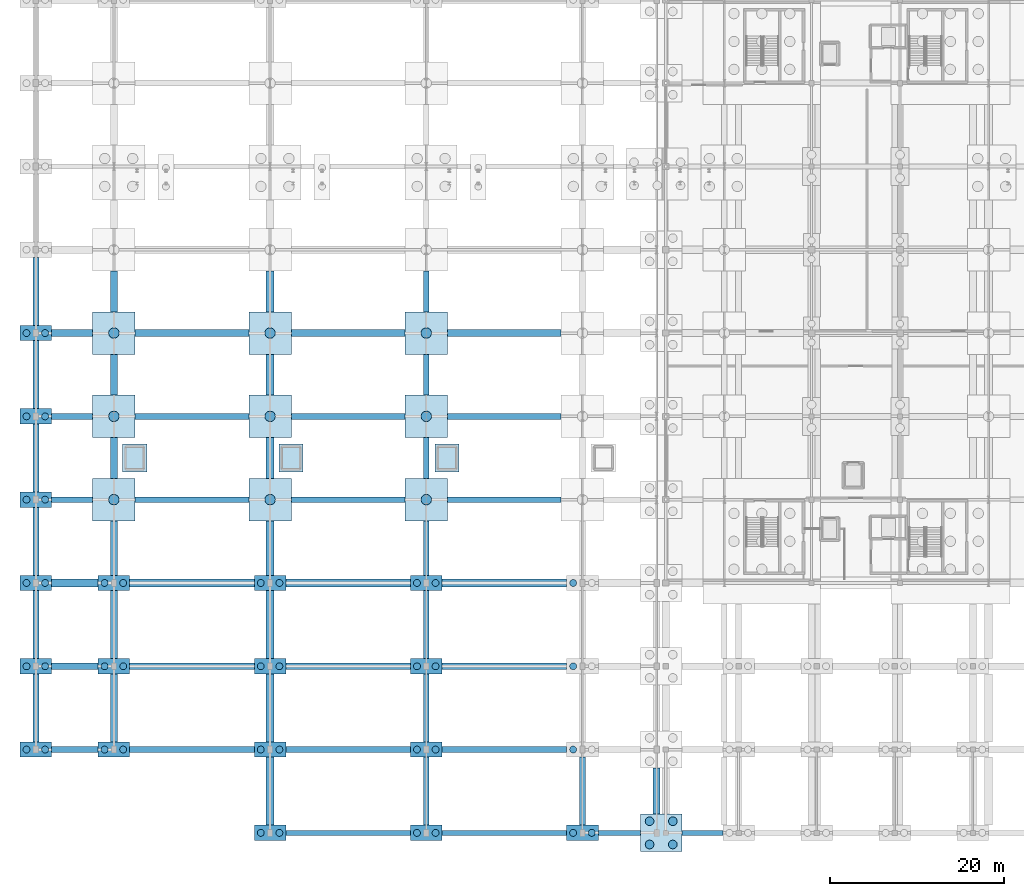
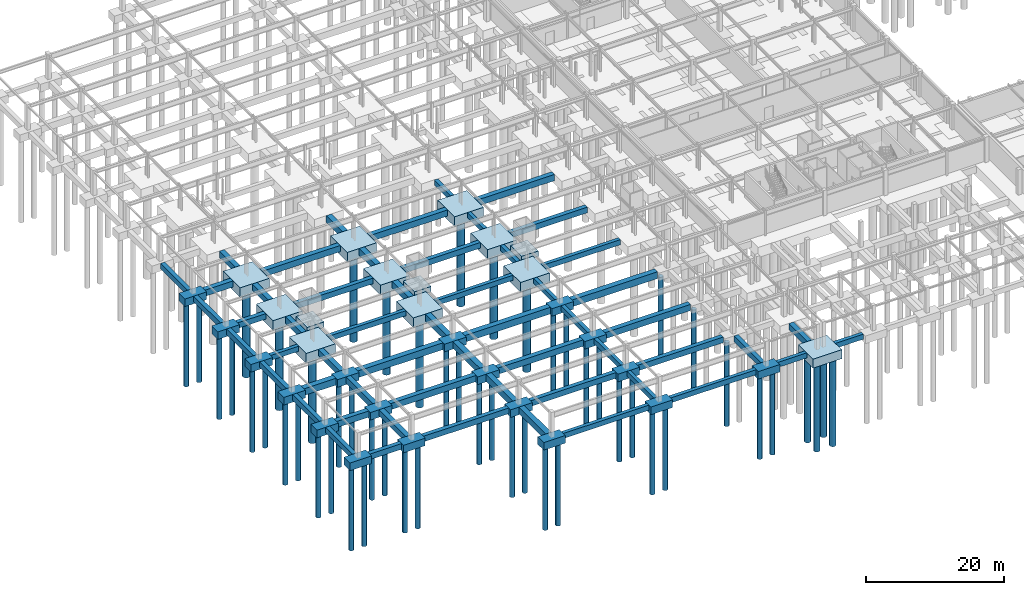
# One storey, part 1 of 59: 87 footings, 52 piles.
"""IFC4 building model written with IfcOpenShell, lengths in metres."""

from ifc_helpers import new_model, si_unit, direction, frame, origin, origin_2d, place, context, subcontext, project, spatial, rectangle, circle, extrude, material, material_profile, profile_set, type_object, element, save


model = new_model("IFC4")

# Units and contexts
model_context = context("Model", 3, precision=1e-05, world=origin(), true_north=direction((0.0, 1.0)))
body_context = subcontext(model_context, "Body", "Model", "MODEL_VIEW")
ifc_project = project(units=[si_unit("LENGTHUNIT", "METRE"), si_unit("AREAUNIT", "SQUARE_METRE"), si_unit("VOLUMEUNIT", "CUBIC_METRE"), si_unit("PLANEANGLEUNIT", "RADIAN"), si_unit("MASSUNIT", "GRAM", prefix="KILO")], contexts=[model_context])

# Site, building, storey
site_placement = place(None, origin())
site = spatial("IfcSite", under=ifc_project, at=site_placement, CompositionType="ELEMENT")
building_placement = place(site_placement, origin())
building = spatial("IfcBuilding", under=site, at=building_placement, Name="Myrtia Square Station", CompositionType="ELEMENT")
storey_placement = place(building_placement, frame((0.0, 0.0, -4.5)))
storey = spatial("IfcBuildingStorey", under=building, at=storey_placement, Name="B01", CompositionType="ELEMENT", Elevation=-4.5)

# Footings
ifc_material = material(Name="Concrete C35/45", Category="concrete")
ifc_material_profile_1 = material_profile(ifc_material, rectangle(XDim=0.60009765625, YDim=0.89990234375, at=origin_2d()), Name="FB 600x900")
ifc_profile_set_1 = profile_set([ifc_material_profile_1], Name="Concrete C35/45")
footing_type_1 = type_object("IfcFootingType", Name="FBM-600x900", PredefinedType="FOOTING_BEAM", material=ifc_profile_set_1)
for number, where, z_axis, x_axis, name in (
    (1, (28.820068359375, 0.0, -0.449951171875), (1.0, 0.0, 0.0), (0.0, 1.0, 0.0), "Seismic foundation tie beam X-0001"),
    (2, (46.820068359375, 0.0, -0.449951171875), (1.0, 0.0, 0.0), (0.0, 1.0, 0.0), "Seismic foundation tie beam X-0002"),
):
    element("IfcFooting", number, at=place(storey_placement, frame(where, z_axis=z_axis, x_axis=x_axis)), inside=storey, type_object=footing_type_1, Name=name, PredefinedType="FOOTING_BEAM", context=body_context, shape_type="SweptSolid", body=[
        extrude(rectangle(XDim=0.60009765625, YDim=0.89990234375, at=origin_2d()), origin(), (0.0, 0.0, 1.0), 14.35986328125),
    ])
footing_1_placement = place(storey_placement, frame((64.820068359375, 0.0, -0.449951171875), z_axis=(1.0, 0.0, 0.0), x_axis=(0.0, 1.0, 0.0)))
element("IfcFooting", 3, at=footing_1_placement, inside=storey, type_object=footing_type_1, Name="Seismic foundation tie beam X-0003", PredefinedType="FOOTING_BEAM", context=body_context, shape_type="SweptSolid", body=[
    extrude(rectangle(XDim=0.60009765625, YDim=0.89990234375, at=origin_2d()), origin(), (0.0, 0.0, 1.0), 4.85498046875),
])
footing_2_placement = place(storey_placement, frame((74.47509765625, 0.0, -0.449951171875), z_axis=(1.0, 0.0, 0.0), x_axis=(0.0, 1.0, 0.0)))
element("IfcFooting", 4, at=footing_2_placement, inside=storey, type_object=footing_type_1, Name="Seismic foundation tie beam X-0004", PredefinedType="FOOTING_BEAM", context=body_context, shape_type="SweptSolid", body=[
    extrude(rectangle(XDim=0.60009765625, YDim=0.89990234375, at=origin_2d()), origin(), (0.0, 0.0, 1.0), 4.704833984375),
])
footing_3_placement = place(storey_placement, frame((1.820068359375, 38.39990234375, -0.449951171875), z_axis=(1.0, 0.0, 0.0), x_axis=(0.0, 1.0, 0.0)))
element("IfcFooting", 5, at=footing_3_placement, inside=storey, type_object=footing_type_1, Name="Seismic foundation tie beam X-0043", PredefinedType="FOOTING_BEAM", context=body_context, shape_type="SweptSolid", body=[
    extrude(rectangle(XDim=0.60009765625, YDim=0.89990234375, at=origin_2d()), origin(), (0.0, 0.0, 1.0), 4.72998046875),
])
for number, where, z_axis, x_axis, name in (
    (6, (11.449951171875, 38.39990234375, -0.449951171875), (1.0, 0.0, 0.0), (0.0, 1.0, 0.0), "Seismic foundation tie beam X-0044"),
    (7, (29.449951171875, 38.39990234375, -0.449951171875), (1.0, 0.0, 0.0), (0.0, 1.0, 0.0), "Seismic foundation tie beam X-0045"),
    (8, (47.449951171875, 38.39990234375, -0.449951171875), (1.0, 0.0, 0.0), (0.0, 1.0, 0.0), "Seismic foundation tie beam X-0046"),
):
    element("IfcFooting", number, at=place(storey_placement, frame(where, z_axis=z_axis, x_axis=x_axis)), inside=storey, type_object=footing_type_1, Name=name, PredefinedType="FOOTING_BEAM", context=body_context, shape_type="SweptSolid", body=[
        extrude(rectangle(XDim=0.60009765625, YDim=0.89990234375, at=origin_2d()), origin(), (0.0, 0.0, 1.0), 13.10009765625),
    ])
for number, where, z_axis, x_axis, name in (
    (9, (45.0, 0.8798828125, -0.449951171875), (0.0, 1.0, 0.0), (-1.0, 0.0, 0.0), "Seismic foundation tie beam Y-0189"),
    (10, (45.0, 10.47998046875, -0.449951171875), (0.0, 1.0, 0.0), (-1.0, 0.0, 0.0), "Seismic foundation tie beam Y-0190"),
):
    element("IfcFooting", number, at=place(storey_placement, frame(where, z_axis=z_axis, x_axis=x_axis)), inside=storey, type_object=footing_type_1, Name=name, PredefinedType="FOOTING_BEAM", context=body_context, shape_type="SweptSolid", body=[
        extrude(rectangle(XDim=0.60009765625, YDim=0.89990234375, at=origin_2d()), origin(), (0.0, 0.0, 1.0), 7.840087890625),
    ])
footing_4_placement = place(storey_placement, frame((45.0, 20.080078125, -0.449951171875), z_axis=(0.0, 1.0, 0.0), x_axis=(-1.0, 0.0, 0.0)))
element("IfcFooting", 11, at=footing_4_placement, inside=storey, type_object=footing_type_1, Name="Seismic foundation tie beam Y-0191", PredefinedType="FOOTING_BEAM", context=body_context, shape_type="SweptSolid", body=[
    extrude(rectangle(XDim=0.60009765625, YDim=0.89990234375, at=origin_2d()), origin(), (0.0, 0.0, 1.0), 7.83984375),
])
footing_5_placement = place(storey_placement, frame((45.0, 29.679931640625, -0.449951171875), z_axis=(0.0, 1.0, 0.0), x_axis=(-1.0, 0.0, 0.0)))
element("IfcFooting", 12, at=footing_5_placement, inside=storey, type_object=footing_type_1, Name="Seismic foundation tie beam Y-0192", PredefinedType="FOOTING_BEAM", context=body_context, shape_type="SweptSolid", body=[
    extrude(rectangle(XDim=0.60009765625, YDim=0.89990234375, at=origin_2d()), origin(), (0.0, 0.0, 1.0), 6.27001953125),
])
for number, where, z_axis, x_axis, name in (
    (13, (45.0, 40.85009765625, -0.449951171875), (0.0, 1.0, 0.0), (-1.0, 0.0, 0.0), "Seismic foundation tie beam Y-0193"),
    (14, (45.0, 50.449951171875, -0.449951171875), (0.0, 1.0, 0.0), (-1.0, 0.0, 0.0), "Seismic foundation tie beam Y-0194"),
    (15, (45.0, 60.050048828125, -0.449951171875), (0.0, 1.0, 0.0), (-1.0, 0.0, 0.0), "Seismic foundation tie beam Y-0195"),
):
    element("IfcFooting", number, at=place(storey_placement, frame(where, z_axis=z_axis, x_axis=x_axis)), inside=storey, type_object=footing_type_1, Name=name, PredefinedType="FOOTING_BEAM", context=body_context, shape_type="SweptSolid", body=[
        extrude(rectangle(XDim=0.60009765625, YDim=0.89990234375, at=origin_2d()), origin(), (0.0, 0.0, 1.0), 4.699951171875),
    ])
ifc_material_profile_2 = material_profile(ifc_material, rectangle(XDim=0.699951171875, YDim=1.0, at=origin_2d()), Name="FB 700x1000")
ifc_profile_set_2 = profile_set([ifc_material_profile_2], Name="Concrete C35/45")
footing_type_2 = type_object("IfcFootingType", Name="FBM-700x1000", PredefinedType="FOOTING_BEAM", material=ifc_profile_set_2)
footing_6_placement = place(storey_placement, frame((1.820068359375, 9.60009765625, -0.5), z_axis=(1.0, 0.0, 0.0), x_axis=(0.0, 1.0, 0.0)))
element("IfcFooting", 16, at=footing_6_placement, inside=storey, type_object=footing_type_2, Name="Seismic foundation tie beam X-0009", PredefinedType="FOOTING_BEAM", context=body_context, shape_type="SweptSolid", body=[
    extrude(rectangle(XDim=0.699951171875, YDim=1.0, at=origin_2d()), origin(), (0.0, 0.0, 1.0), 5.35986328125),
])
for number, where, z_axis, x_axis, name in (
    (17, (10.820068359375, 9.60009765625, -0.5), (1.0, 0.0, 0.0), (0.0, 1.0, 0.0), "Seismic foundation tie beam X-0010"),
    (18, (28.820068359375, 9.60009765625, -0.5), (1.0, 0.0, 0.0), (0.0, 1.0, 0.0), "Seismic foundation tie beam X-0011"),
    (19, (46.820068359375, 9.60009765625, -0.5), (1.0, 0.0, 0.0), (0.0, 1.0, 0.0), "Seismic foundation tie beam X-0012"),
):
    element("IfcFooting", number, at=place(storey_placement, frame(where, z_axis=z_axis, x_axis=x_axis)), inside=storey, type_object=footing_type_2, Name=name, PredefinedType="FOOTING_BEAM", context=body_context, shape_type="SweptSolid", body=[
        extrude(rectangle(XDim=0.699951171875, YDim=1.0, at=origin_2d()), origin(), (0.0, 0.0, 1.0), 14.35986328125),
    ])
footing_7_placement = place(storey_placement, frame((1.820068359375, 48.0, -0.5), z_axis=(1.0, 0.0, 0.0), x_axis=(0.0, 1.0, 0.0)))
element("IfcFooting", 20, at=footing_7_placement, inside=storey, type_object=footing_type_2, Name="Seismic foundation tie beam X-0052", PredefinedType="FOOTING_BEAM", context=body_context, shape_type="SweptSolid", body=[
    extrude(rectangle(XDim=0.699951171875, YDim=1.0, at=origin_2d()), origin(), (0.0, 0.0, 1.0), 4.72998046875),
])
for number, where, z_axis, x_axis, name in (
    (21, (11.449951171875, 48.0, -0.5), (1.0, 0.0, 0.0), (0.0, 1.0, 0.0), "Seismic foundation tie beam X-0053"),
    (22, (29.449951171875, 48.0, -0.5), (1.0, 0.0, 0.0), (0.0, 1.0, 0.0), "Seismic foundation tie beam X-0054"),
    (23, (47.449951171875, 48.0, -0.5), (1.0, 0.0, 0.0), (0.0, 1.0, 0.0), "Seismic foundation tie beam X-0055"),
):
    element("IfcFooting", number, at=place(storey_placement, frame(where, z_axis=z_axis, x_axis=x_axis)), inside=storey, type_object=footing_type_2, Name=name, PredefinedType="FOOTING_BEAM", context=body_context, shape_type="SweptSolid", body=[
        extrude(rectangle(XDim=0.699951171875, YDim=1.0, at=origin_2d()), origin(), (0.0, 0.0, 1.0), 13.10009765625),
    ])
footing_8_placement = place(storey_placement, frame((0.0, 10.47998046875, -0.5), z_axis=(0.0, 1.0, 0.0), x_axis=(-1.0, 0.0, 0.0)))
element("IfcFooting", 24, at=footing_8_placement, inside=storey, type_object=footing_type_2, Name="Seismic foundation tie beam Y-0154", PredefinedType="FOOTING_BEAM", context=body_context, shape_type="SweptSolid", body=[
    extrude(rectangle(XDim=0.699951171875, YDim=1.0, at=origin_2d()), origin(), (0.0, 0.0, 1.0), 7.840087890625),
])
footing_9_placement = place(storey_placement, frame((0.0, 20.080078125, -0.5), z_axis=(0.0, 1.0, 0.0), x_axis=(-1.0, 0.0, 0.0)))
element("IfcFooting", 25, at=footing_9_placement, inside=storey, type_object=footing_type_2, Name="Seismic foundation tie beam Y-0155", PredefinedType="FOOTING_BEAM", context=body_context, shape_type="SweptSolid", body=[
    extrude(rectangle(XDim=0.699951171875, YDim=1.0, at=origin_2d()), origin(), (0.0, 0.0, 1.0), 7.83984375),
])
for number, where, z_axis, x_axis, name in (
    (26, (0.0, 29.679931640625, -0.5), (0.0, 1.0, 0.0), (-1.0, 0.0, 0.0), "Seismic foundation tie beam Y-0156"),
    (27, (0.0, 39.280029296875, -0.5), (0.0, 1.0, 0.0), (-1.0, 0.0, 0.0), "Seismic foundation tie beam Y-0157"),
    (28, (0.0, 48.8798828125, -0.5), (0.0, 1.0, 0.0), (-1.0, 0.0, 0.0), "Seismic foundation tie beam Y-0158"),
    (29, (0.0, 58.47998046875, -0.5), (0.0, 1.0, 0.0), (-1.0, 0.0, 0.0), "Seismic foundation tie beam Y-0159"),
    (30, (63.0, 0.8798828125, -0.5), (0.0, 1.0, 0.0), (-1.0, 0.0, 0.0), "Seismic foundation tie beam Y-0202"),
):
    element("IfcFooting", number, at=place(storey_placement, frame(where, z_axis=z_axis, x_axis=x_axis)), inside=storey, type_object=footing_type_2, Name=name, PredefinedType="FOOTING_BEAM", context=body_context, shape_type="SweptSolid", body=[
        extrude(rectangle(XDim=0.699951171875, YDim=1.0, at=origin_2d()), origin(), (0.0, 0.0, 1.0), 7.840087890625),
    ])
ifc_material_profile_3 = material_profile(ifc_material, rectangle(XDim=0.800048828125, YDim=1.10009765625, at=origin_2d()), Name="FB 800x1100")
ifc_profile_set_3 = profile_set([ifc_material_profile_3], Name="Concrete C35/45")
footing_type_3 = type_object("IfcFootingType", Name="FBM-800x1100", PredefinedType="FOOTING_BEAM", material=ifc_profile_set_3)
footing_10_placement = place(storey_placement, frame((1.820068359375, 19.199951171875, -0.550048828125), z_axis=(1.0, 0.0, 0.0), x_axis=(0.0, 1.0, 0.0)))
element("IfcFooting", 31, at=footing_10_placement, inside=storey, type_object=footing_type_3, Name="Seismic foundation tie beam X-0021", PredefinedType="FOOTING_BEAM", context=body_context, shape_type="SweptSolid", body=[
    extrude(rectangle(XDim=0.800048828125, YDim=1.10009765625, at=origin_2d()), origin(), (0.0, 0.0, 1.0), 5.35986328125),
])
for number, where, z_axis, x_axis, name in (
    (32, (10.820068359375, 19.199951171875, -0.550048828125), (1.0, 0.0, 0.0), (0.0, 1.0, 0.0), "Seismic foundation tie beam X-0022"),
    (33, (28.820068359375, 19.199951171875, -0.550048828125), (1.0, 0.0, 0.0), (0.0, 1.0, 0.0), "Seismic foundation tie beam X-0023"),
    (34, (46.820068359375, 19.199951171875, -0.550048828125), (1.0, 0.0, 0.0), (0.0, 1.0, 0.0), "Seismic foundation tie beam X-0024"),
):
    element("IfcFooting", number, at=place(storey_placement, frame(where, z_axis=z_axis, x_axis=x_axis)), inside=storey, type_object=footing_type_3, Name=name, PredefinedType="FOOTING_BEAM", context=body_context, shape_type="SweptSolid", body=[
        extrude(rectangle(XDim=0.800048828125, YDim=1.10009765625, at=origin_2d()), origin(), (0.0, 0.0, 1.0), 14.35986328125),
    ])
footing_11_placement = place(storey_placement, frame((1.820068359375, 57.60009765625, -0.550048828125), z_axis=(1.0, 0.0, 0.0), x_axis=(0.0, 1.0, 0.0)))
element("IfcFooting", 35, at=footing_11_placement, inside=storey, type_object=footing_type_3, Name="Seismic foundation tie beam X-0063", PredefinedType="FOOTING_BEAM", context=body_context, shape_type="SweptSolid", body=[
    extrude(rectangle(XDim=0.800048828125, YDim=1.10009765625, at=origin_2d()), origin(), (0.0, 0.0, 1.0), 4.72998046875),
])
for number, where, z_axis, x_axis, name in (
    (36, (11.449951171875, 57.60009765625, -0.550048828125), (1.0, 0.0, 0.0), (0.0, 1.0, 0.0), "Seismic foundation tie beam X-0064"),
    (37, (29.449951171875, 57.60009765625, -0.550048828125), (1.0, 0.0, 0.0), (0.0, 1.0, 0.0), "Seismic foundation tie beam X-0065"),
    (38, (47.449951171875, 57.60009765625, -0.550048828125), (1.0, 0.0, 0.0), (0.0, 1.0, 0.0), "Seismic foundation tie beam X-0066"),
):
    element("IfcFooting", number, at=place(storey_placement, frame(where, z_axis=z_axis, x_axis=x_axis)), inside=storey, type_object=footing_type_3, Name=name, PredefinedType="FOOTING_BEAM", context=body_context, shape_type="SweptSolid", body=[
        extrude(rectangle(XDim=0.800048828125, YDim=1.10009765625, at=origin_2d()), origin(), (0.0, 0.0, 1.0), 13.10009765625),
    ])
footing_12_placement = place(storey_placement, frame((9.0, 10.47998046875, -0.550048828125), z_axis=(0.0, 1.0, 0.0), x_axis=(-1.0, 0.0, 0.0)))
element("IfcFooting", 39, at=footing_12_placement, inside=storey, type_object=footing_type_3, Name="Seismic foundation tie beam Y-0165", PredefinedType="FOOTING_BEAM", context=body_context, shape_type="SweptSolid", body=[
    extrude(rectangle(XDim=0.800048828125, YDim=1.10009765625, at=origin_2d()), origin(), (0.0, 0.0, 1.0), 7.840087890625),
])
footing_13_placement = place(storey_placement, frame((9.0, 20.080078125, -0.550048828125), z_axis=(0.0, 1.0, 0.0), x_axis=(-1.0, 0.0, 0.0)))
element("IfcFooting", 40, at=footing_13_placement, inside=storey, type_object=footing_type_3, Name="Seismic foundation tie beam Y-0166", PredefinedType="FOOTING_BEAM", context=body_context, shape_type="SweptSolid", body=[
    extrude(rectangle(XDim=0.800048828125, YDim=1.10009765625, at=origin_2d()), origin(), (0.0, 0.0, 1.0), 7.83984375),
])
footing_14_placement = place(storey_placement, frame((9.0, 29.679931640625, -0.550048828125), z_axis=(0.0, 1.0, 0.0), x_axis=(-1.0, 0.0, 0.0)))
element("IfcFooting", 41, at=footing_14_placement, inside=storey, type_object=footing_type_3, Name="Seismic foundation tie beam Y-0167", PredefinedType="FOOTING_BEAM", context=body_context, shape_type="SweptSolid", body=[
    extrude(rectangle(XDim=0.800048828125, YDim=1.10009765625, at=origin_2d()), origin(), (0.0, 0.0, 1.0), 6.27001953125),
])
for number, where, z_axis, x_axis, name in (
    (42, (9.0, 40.85009765625, -0.550048828125), (0.0, 1.0, 0.0), (-1.0, 0.0, 0.0), "Seismic foundation tie beam Y-0168"),
    (43, (9.0, 50.449951171875, -0.550048828125), (0.0, 1.0, 0.0), (-1.0, 0.0, 0.0), "Seismic foundation tie beam Y-0169"),
    (44, (9.0, 60.050048828125, -0.550048828125), (0.0, 1.0, 0.0), (-1.0, 0.0, 0.0), "Seismic foundation tie beam Y-0170"),
):
    element("IfcFooting", number, at=place(storey_placement, frame(where, z_axis=z_axis, x_axis=x_axis)), inside=storey, type_object=footing_type_3, Name=name, PredefinedType="FOOTING_BEAM", context=body_context, shape_type="SweptSolid", body=[
        extrude(rectangle(XDim=0.800048828125, YDim=1.10009765625, at=origin_2d()), origin(), (0.0, 0.0, 1.0), 4.699951171875),
    ])
footing_15_placement = place(storey_placement, frame((71.550048828125, 2.14990234375, -0.550048828125), z_axis=(0.0, 1.0, 0.0), x_axis=(-1.0, 0.0, 0.0)))
element("IfcFooting", 45, at=footing_15_placement, inside=storey, type_object=footing_type_3, Name="Seismic foundation tie beam Y-0215", PredefinedType="FOOTING_BEAM", context=body_context, shape_type="SweptSolid", body=[
    extrude(rectangle(XDim=0.800048828125, YDim=1.10009765625, at=origin_2d()), origin(), (0.0, 0.0, 1.0), 5.300048828125),
])
ifc_material_profile_4 = material_profile(ifc_material, rectangle(XDim=0.89990234375, YDim=1.199951171875, at=origin_2d()), Name="FB 900x1200")
ifc_profile_set_4 = profile_set([ifc_material_profile_4], Name="Concrete C35/45")
footing_type_4 = type_object("IfcFootingType", Name="FBM-900x1200", PredefinedType="FOOTING_BEAM", material=ifc_profile_set_4)
footing_16_placement = place(storey_placement, frame((1.820068359375, 28.800048828125, -0.60009765625), z_axis=(1.0, 0.0, 0.0), x_axis=(0.0, 1.0, 0.0)))
element("IfcFooting", 46, at=footing_16_placement, inside=storey, type_object=footing_type_4, Name="Seismic foundation tie beam X-0033", PredefinedType="FOOTING_BEAM", context=body_context, shape_type="SweptSolid", body=[
    extrude(rectangle(XDim=0.89990234375, YDim=1.199951171875, at=origin_2d()), origin(), (0.0, 0.0, 1.0), 5.35986328125),
])
for number, where, z_axis, x_axis, name in (
    (47, (10.820068359375, 28.800048828125, -0.60009765625), (1.0, 0.0, 0.0), (0.0, 1.0, 0.0), "Seismic foundation tie beam X-0034"),
    (48, (28.820068359375, 28.800048828125, -0.60009765625), (1.0, 0.0, 0.0), (0.0, 1.0, 0.0), "Seismic foundation tie beam X-0035"),
    (49, (46.820068359375, 28.800048828125, -0.60009765625), (1.0, 0.0, 0.0), (0.0, 1.0, 0.0), "Seismic foundation tie beam X-0036"),
):
    element("IfcFooting", number, at=place(storey_placement, frame(where, z_axis=z_axis, x_axis=x_axis)), inside=storey, type_object=footing_type_4, Name=name, PredefinedType="FOOTING_BEAM", context=body_context, shape_type="SweptSolid", body=[
        extrude(rectangle(XDim=0.89990234375, YDim=1.199951171875, at=origin_2d()), origin(), (0.0, 0.0, 1.0), 14.35986328125),
    ])
for number, where, z_axis, x_axis, name in (
    (50, (27.0, 0.8798828125, -0.60009765625), (0.0, 1.0, 0.0), (-1.0, 0.0, 0.0), "Seismic foundation tie beam Y-0176"),
    (51, (27.0, 10.47998046875, -0.60009765625), (0.0, 1.0, 0.0), (-1.0, 0.0, 0.0), "Seismic foundation tie beam Y-0177"),
):
    element("IfcFooting", number, at=place(storey_placement, frame(where, z_axis=z_axis, x_axis=x_axis)), inside=storey, type_object=footing_type_4, Name=name, PredefinedType="FOOTING_BEAM", context=body_context, shape_type="SweptSolid", body=[
        extrude(rectangle(XDim=0.89990234375, YDim=1.199951171875, at=origin_2d()), origin(), (0.0, 0.0, 1.0), 7.840087890625),
    ])
footing_17_placement = place(storey_placement, frame((27.0, 20.080078125, -0.60009765625), z_axis=(0.0, 1.0, 0.0), x_axis=(-1.0, 0.0, 0.0)))
element("IfcFooting", 52, at=footing_17_placement, inside=storey, type_object=footing_type_4, Name="Seismic foundation tie beam Y-0178", PredefinedType="FOOTING_BEAM", context=body_context, shape_type="SweptSolid", body=[
    extrude(rectangle(XDim=0.89990234375, YDim=1.199951171875, at=origin_2d()), origin(), (0.0, 0.0, 1.0), 7.83984375),
])
footing_18_placement = place(storey_placement, frame((27.0, 29.679931640625, -0.60009765625), z_axis=(0.0, 1.0, 0.0), x_axis=(-1.0, 0.0, 0.0)))
element("IfcFooting", 53, at=footing_18_placement, inside=storey, type_object=footing_type_4, Name="Seismic foundation tie beam Y-0179", PredefinedType="FOOTING_BEAM", context=body_context, shape_type="SweptSolid", body=[
    extrude(rectangle(XDim=0.89990234375, YDim=1.199951171875, at=origin_2d()), origin(), (0.0, 0.0, 1.0), 6.27001953125),
])
for number, where, z_axis, x_axis, name in (
    (54, (27.0, 40.85009765625, -0.60009765625), (0.0, 1.0, 0.0), (-1.0, 0.0, 0.0), "Seismic foundation tie beam Y-0180"),
    (55, (27.0, 50.449951171875, -0.60009765625), (0.0, 1.0, 0.0), (-1.0, 0.0, 0.0), "Seismic foundation tie beam Y-0181"),
    (56, (27.0, 60.050048828125, -0.60009765625), (0.0, 1.0, 0.0), (-1.0, 0.0, 0.0), "Seismic foundation tie beam Y-0182"),
):
    element("IfcFooting", number, at=place(storey_placement, frame(where, z_axis=z_axis, x_axis=x_axis)), inside=storey, type_object=footing_type_4, Name=name, PredefinedType="FOOTING_BEAM", context=body_context, shape_type="SweptSolid", body=[
        extrude(rectangle(XDim=0.89990234375, YDim=1.199951171875, at=origin_2d()), origin(), (0.0, 0.0, 1.0), 4.699951171875),
    ])
footing_type_5 = type_object("IfcFootingType", Name="FCAP-364x176x135", PredefinedType="PILE_CAP", material=ifc_material)
for number, where, z_axis, x_axis, name in (
    (57, (0.0, 9.60009765625, -1.35009765625), (0.0, 0.0, 1.0), (1.0, 0.0, 0.0), "Reinforced concrete pile cap CAP-L2X-000"),
    (58, (0.0, 19.199951171875, -1.35009765625), (0.0, 0.0, 1.0), (1.0, 0.0, 0.0), "Reinforced concrete pile cap CAP-L2X-001"),
    (59, (0.0, 28.800048828125, -1.35009765625), (0.0, 0.0, 1.0), (1.0, 0.0, 0.0), "Reinforced concrete pile cap CAP-L2X-002"),
    (60, (0.0, 38.39990234375, -1.35009765625), (0.0, 0.0, 1.0), (1.0, 0.0, 0.0), "Reinforced concrete pile cap CAP-L2X-003"),
    (61, (0.0, 48.0, -1.35009765625), (0.0, 0.0, 1.0), (1.0, 0.0, 0.0), "Reinforced concrete pile cap CAP-L2X-004"),
    (62, (0.0, 57.60009765625, -1.35009765625), (0.0, 0.0, 1.0), (1.0, 0.0, 0.0), "Reinforced concrete pile cap CAP-L2X-005"),
    (63, (9.0, 9.60009765625, -1.35009765625), (0.0, 0.0, 1.0), (1.0, 0.0, 0.0), "Reinforced concrete pile cap CAP-L2X-012"),
    (64, (9.0, 19.199951171875, -1.35009765625), (0.0, 0.0, 1.0), (1.0, 0.0, 0.0), "Reinforced concrete pile cap CAP-L2X-013"),
    (65, (9.0, 28.800048828125, -1.35009765625), (0.0, 0.0, 1.0), (1.0, 0.0, 0.0), "Reinforced concrete pile cap CAP-L2X-014"),
    (66, (27.0, 0.0, -1.35009765625), (0.0, 0.0, 1.0), (1.0, 0.0, 0.0), "Reinforced concrete pile cap CAP-L2X-024"),
    (67, (27.0, 9.60009765625, -1.35009765625), (0.0, 0.0, 1.0), (1.0, 0.0, 0.0), "Reinforced concrete pile cap CAP-L2X-025"),
    (68, (27.0, 19.199951171875, -1.35009765625), (0.0, 0.0, 1.0), (1.0, 0.0, 0.0), "Reinforced concrete pile cap CAP-L2X-026"),
    (69, (27.0, 28.800048828125, -1.35009765625), (0.0, 0.0, 1.0), (1.0, 0.0, 0.0), "Reinforced concrete pile cap CAP-L2X-027"),
    (70, (45.0, 0.0, -1.35009765625), (0.0, 0.0, 1.0), (1.0, 0.0, 0.0), "Reinforced concrete pile cap CAP-L2X-038"),
    (71, (45.0, 9.60009765625, -1.35009765625), (0.0, 0.0, 1.0), (1.0, 0.0, 0.0), "Reinforced concrete pile cap CAP-L2X-039"),
    (72, (45.0, 19.199951171875, -1.35009765625), (0.0, 0.0, 1.0), (1.0, 0.0, 0.0), "Reinforced concrete pile cap CAP-L2X-040"),
    (73, (45.0, 28.800048828125, -1.35009765625), (0.0, 0.0, 1.0), (1.0, 0.0, 0.0), "Reinforced concrete pile cap CAP-L2X-041"),
    (74, (63.0, 0.0, -1.35009765625), (0.0, 0.0, 1.0), (1.0, 0.0, 0.0), "Reinforced concrete pile cap CAP-L2X-052"),
):
    element("IfcFooting", number, at=place(storey_placement, frame(where, z_axis=z_axis, x_axis=x_axis)), inside=storey, type_object=footing_type_5, Name=name, PredefinedType="PILE_CAP", context=body_context, shape_type="SweptSolid", body=[
        extrude(rectangle(XDim=3.639892578125, YDim=1.760009765625, at=origin_2d()), origin(), (0.0, 0.0, 1.0), 1.35009765625),
    ])
footing_type_6 = type_object("IfcFootingType", Name="FCAP-480x430x160", PredefinedType="PILE_CAP", material=ifc_material)
footing_19_placement = place(storey_placement, frame((72.074951171875, 0.0, -1.60009765625), z_axis=(0.0, 0.0, 1.0), x_axis=(1.0, 0.0, 0.0)))
element("IfcFooting", 75, at=footing_19_placement, inside=storey, type_object=footing_type_6, Name="Reinforced concrete pile cap CAP-JT-066", PredefinedType="PILE_CAP", context=body_context, shape_type="SweptSolid", body=[
    extrude(rectangle(XDim=4.800048828125, YDim=4.300048828125, at=origin_2d()), origin(), (0.0, 0.0, 1.0), 1.60009765625),
])
footing_type_7 = type_object("IfcFootingType", Name="FCAP-490x490x170", PredefinedType="PILE_CAP", material=ifc_material)
for number, where, z_axis, x_axis, name in (
    (76, (9.0, 38.39990234375, -1.7001953125), (0.0, 0.0, 1.0), (1.0, 0.0, 0.0), "Reinforced concrete pile cap CAP-H4-015"),
    (77, (9.0, 48.0, -1.7001953125), (0.0, 0.0, 1.0), (1.0, 0.0, 0.0), "Reinforced concrete pile cap CAP-H4-016"),
    (78, (9.0, 57.60009765625, -1.7001953125), (0.0, 0.0, 1.0), (1.0, 0.0, 0.0), "Reinforced concrete pile cap CAP-H4-017"),
    (79, (27.0, 38.39990234375, -1.7001953125), (0.0, 0.0, 1.0), (1.0, 0.0, 0.0), "Reinforced concrete pile cap CAP-H4-028"),
    (80, (27.0, 48.0, -1.7001953125), (0.0, 0.0, 1.0), (1.0, 0.0, 0.0), "Reinforced concrete pile cap CAP-H4-029"),
    (81, (27.0, 57.60009765625, -1.7001953125), (0.0, 0.0, 1.0), (1.0, 0.0, 0.0), "Reinforced concrete pile cap CAP-H4-030"),
    (82, (45.0, 38.39990234375, -1.7001953125), (0.0, 0.0, 1.0), (1.0, 0.0, 0.0), "Reinforced concrete pile cap CAP-H4-042"),
    (83, (45.0, 48.0, -1.7001953125), (0.0, 0.0, 1.0), (1.0, 0.0, 0.0), "Reinforced concrete pile cap CAP-H4-043"),
    (84, (45.0, 57.60009765625, -1.7001953125), (0.0, 0.0, 1.0), (1.0, 0.0, 0.0), "Reinforced concrete pile cap CAP-H4-044"),
):
    element("IfcFooting", number, at=place(storey_placement, frame(where, z_axis=z_axis, x_axis=x_axis)), inside=storey, type_object=footing_type_7, Name=name, PredefinedType="PILE_CAP", context=body_context, shape_type="SweptSolid", body=[
        extrude(rectangle(XDim=4.89990234375, YDim=4.89990234375, at=origin_2d()), origin(), (0.0, 0.0, 1.0), 1.699951171875),
    ])
footing_type_8 = type_object("IfcFootingType", Name="PAD-1600x900", PredefinedType="PAD_FOOTING", material=ifc_material)
for number, where, z_axis, x_axis, name in (
    (85, (11.39990234375, 43.199951171875, -1.0), (0.0, 0.0, 1.0), (1.0, 0.0, 0.0), "Lift shaft pit foundation PL-01"),
    (86, (29.39990234375, 43.199951171875, -1.0), (0.0, 0.0, 1.0), (1.0, 0.0, 0.0), "Lift shaft pit foundation PL-02"),
    (87, (47.39990234375, 43.199951171875, -1.0), (0.0, 0.0, 1.0), (1.0, 0.0, 0.0), "Lift shaft pit foundation PL-03"),
):
    element("IfcFooting", number, at=place(storey_placement, frame(where, z_axis=z_axis, x_axis=x_axis)), inside=storey, type_object=footing_type_8, Name=name, PredefinedType="PAD_FOOTING", context=body_context, shape_type="SweptSolid", body=[
        extrude(rectangle(XDim=2.800048828125, YDim=3.199951171875, at=origin_2d()), origin(), (0.0, 0.0, 1.0), 1.0),
    ])

# Piles
ifc_material_profile_5 = material_profile(ifc_material, circle(Radius=0.5, at=origin_2d()), Name="BP D1000")
ifc_profile_set_5 = profile_set([ifc_material_profile_5], Name="Concrete C35/45")
pile_type_1 = type_object("IfcPileType", Name="PIL-BP1000", PredefinedType="BORED", material=ifc_profile_set_5)
for number, where, z_axis, x_axis, name in (
    (88, (70.735107421875, -1.340087890625, -1.5), (0.0, 0.0, -1.0), (1.0, 0.0, 0.0), "Bored pile 0211"),
    (89, (70.735107421875, 1.340087890625, -1.5), (0.0, 0.0, -1.0), (1.0, 0.0, 0.0), "Bored pile 0212"),
    (90, (73.4150390625, -1.340087890625, -1.5), (0.0, 0.0, -1.0), (1.0, 0.0, 0.0), "Bored pile 0213"),
    (91, (73.4150390625, 1.340087890625, -1.5), (0.0, 0.0, -1.0), (1.0, 0.0, 0.0), "Bored pile 0214"),
):
    element("IfcPile", number, at=place(storey_placement, frame(where, z_axis=z_axis, x_axis=x_axis)), inside=storey, type_object=pile_type_1, Name=name, PredefinedType="BORED", context=body_context, shape_type="SweptSolid", body=[
        extrude(circle(Radius=0.5, at=origin_2d()), origin(), (0.0, 0.0, 1.0), 15.5),
    ])
ifc_material_profile_6 = material_profile(ifc_material, circle(Radius=0.60009765625, at=origin_2d()), Name="BP D1200")
ifc_profile_set_6 = profile_set([ifc_material_profile_6], Name="Concrete C35/45")
pile_type_2 = type_object("IfcPileType", Name="PIL-BP1200", PredefinedType="BORED", material=ifc_profile_set_6)
for number, where, z_axis, x_axis, name in (
    (92, (9.0, 38.39990234375, -1.60009765625), (0.0, 0.0, -1.0), (1.0, 0.0, 0.0), "Bored pile 0121"),
    (93, (9.0, 48.0, -1.60009765625), (0.0, 0.0, -1.0), (1.0, 0.0, 0.0), "Bored pile 0122"),
    (94, (9.0, 57.60009765625, -1.60009765625), (0.0, 0.0, -1.0), (1.0, 0.0, 0.0), "Bored pile 0123"),
    (95, (27.0, 38.39990234375, -1.60009765625), (0.0, 0.0, -1.0), (1.0, 0.0, 0.0), "Bored pile 0144"),
    (96, (27.0, 48.0, -1.60009765625), (0.0, 0.0, -1.0), (1.0, 0.0, 0.0), "Bored pile 0145"),
    (97, (27.0, 57.60009765625, -1.60009765625), (0.0, 0.0, -1.0), (1.0, 0.0, 0.0), "Bored pile 0146"),
    (98, (45.0, 38.39990234375, -1.60009765625), (0.0, 0.0, -1.0), (1.0, 0.0, 0.0), "Bored pile 0169"),
    (99, (45.0, 48.0, -1.60009765625), (0.0, 0.0, -1.0), (1.0, 0.0, 0.0), "Bored pile 0170"),
    (100, (45.0, 57.60009765625, -1.60009765625), (0.0, 0.0, -1.0), (1.0, 0.0, 0.0), "Bored pile 0171"),
):
    element("IfcPile", number, at=place(storey_placement, frame(where, z_axis=z_axis, x_axis=x_axis)), inside=storey, type_object=pile_type_2, Name=name, PredefinedType="BORED", context=body_context, shape_type="SweptSolid", body=[
        extrude(circle(Radius=0.60009765625, at=origin_2d()), origin(), (0.0, 0.0, 1.0), 16.300048828125),
    ])
ifc_material_profile_7 = material_profile(ifc_material, circle(Radius=0.39990234375, at=origin_2d()), Name="BP D800")
ifc_profile_set_7 = profile_set([ifc_material_profile_7], Name="Concrete C35/45")
pile_type_3 = type_object("IfcPileType", Name="PIL-BP800", PredefinedType="BORED", material=ifc_profile_set_7)
for number, where, z_axis, x_axis, name in (
    (101, (-1.072021484375, 9.60009765625, -1.25), (0.0, 0.0, -1.0), (1.0, 0.0, 0.0), "Bored pile 0091"),
    (102, (1.072021484375, 9.60009765625, -1.25), (0.0, 0.0, -1.0), (1.0, 0.0, 0.0), "Bored pile 0092"),
    (103, (-1.072021484375, 19.199951171875, -1.25), (0.0, 0.0, -1.0), (1.0, 0.0, 0.0), "Bored pile 0093"),
    (104, (1.072021484375, 19.199951171875, -1.25), (0.0, 0.0, -1.0), (1.0, 0.0, 0.0), "Bored pile 0094"),
    (105, (-1.072021484375, 28.800048828125, -1.25), (0.0, 0.0, -1.0), (1.0, 0.0, 0.0), "Bored pile 0095"),
    (106, (1.072021484375, 28.800048828125, -1.25), (0.0, 0.0, -1.0), (1.0, 0.0, 0.0), "Bored pile 0096"),
    (107, (-1.072021484375, 38.39990234375, -1.25), (0.0, 0.0, -1.0), (1.0, 0.0, 0.0), "Bored pile 0097"),
    (108, (1.072021484375, 38.39990234375, -1.25), (0.0, 0.0, -1.0), (1.0, 0.0, 0.0), "Bored pile 0098"),
    (109, (-1.072021484375, 48.0, -1.25), (0.0, 0.0, -1.0), (1.0, 0.0, 0.0), "Bored pile 0099"),
    (110, (1.072021484375, 48.0, -1.25), (0.0, 0.0, -1.0), (1.0, 0.0, 0.0), "Bored pile 0100"),
    (111, (-1.072021484375, 57.60009765625, -1.25), (0.0, 0.0, -1.0), (1.0, 0.0, 0.0), "Bored pile 0101"),
    (112, (1.072021484375, 57.60009765625, -1.25), (0.0, 0.0, -1.0), (1.0, 0.0, 0.0), "Bored pile 0102"),
    (113, (7.927978515625, 9.60009765625, -1.25), (0.0, 0.0, -1.0), (1.0, 0.0, 0.0), "Bored pile 0115"),
    (114, (10.072021484375, 9.60009765625, -1.25), (0.0, 0.0, -1.0), (1.0, 0.0, 0.0), "Bored pile 0116"),
    (115, (7.927978515625, 19.199951171875, -1.25), (0.0, 0.0, -1.0), (1.0, 0.0, 0.0), "Bored pile 0117"),
    (116, (10.072021484375, 19.199951171875, -1.25), (0.0, 0.0, -1.0), (1.0, 0.0, 0.0), "Bored pile 0118"),
    (117, (7.927978515625, 28.800048828125, -1.25), (0.0, 0.0, -1.0), (1.0, 0.0, 0.0), "Bored pile 0119"),
    (118, (10.072021484375, 28.800048828125, -1.25), (0.0, 0.0, -1.0), (1.0, 0.0, 0.0), "Bored pile 0120"),
    (119, (25.927978515625, 0.0, -1.25), (0.0, 0.0, -1.0), (1.0, 0.0, 0.0), "Bored pile 0136"),
    (120, (28.072021484375, 0.0, -1.25), (0.0, 0.0, -1.0), (1.0, 0.0, 0.0), "Bored pile 0137"),
    (121, (25.927978515625, 9.60009765625, -1.25), (0.0, 0.0, -1.0), (1.0, 0.0, 0.0), "Bored pile 0138"),
    (122, (28.072021484375, 9.60009765625, -1.25), (0.0, 0.0, -1.0), (1.0, 0.0, 0.0), "Bored pile 0139"),
    (123, (25.927978515625, 19.199951171875, -1.25), (0.0, 0.0, -1.0), (1.0, 0.0, 0.0), "Bored pile 0140"),
    (124, (28.072021484375, 19.199951171875, -1.25), (0.0, 0.0, -1.0), (1.0, 0.0, 0.0), "Bored pile 0141"),
    (125, (25.927978515625, 28.800048828125, -1.25), (0.0, 0.0, -1.0), (1.0, 0.0, 0.0), "Bored pile 0142"),
    (126, (28.072021484375, 28.800048828125, -1.25), (0.0, 0.0, -1.0), (1.0, 0.0, 0.0), "Bored pile 0143"),
    (127, (43.927978515625, 0.0, -1.25), (0.0, 0.0, -1.0), (1.0, 0.0, 0.0), "Bored pile 0161"),
    (128, (46.072021484375, 0.0, -1.25), (0.0, 0.0, -1.0), (1.0, 0.0, 0.0), "Bored pile 0162"),
    (129, (43.927978515625, 9.60009765625, -1.25), (0.0, 0.0, -1.0), (1.0, 0.0, 0.0), "Bored pile 0163"),
    (130, (46.072021484375, 9.60009765625, -1.25), (0.0, 0.0, -1.0), (1.0, 0.0, 0.0), "Bored pile 0164"),
    (131, (43.927978515625, 19.199951171875, -1.25), (0.0, 0.0, -1.0), (1.0, 0.0, 0.0), "Bored pile 0165"),
    (132, (46.072021484375, 19.199951171875, -1.25), (0.0, 0.0, -1.0), (1.0, 0.0, 0.0), "Bored pile 0166"),
    (133, (43.927978515625, 28.800048828125, -1.25), (0.0, 0.0, -1.0), (1.0, 0.0, 0.0), "Bored pile 0167"),
    (134, (46.072021484375, 28.800048828125, -1.25), (0.0, 0.0, -1.0), (1.0, 0.0, 0.0), "Bored pile 0168"),
    (135, (61.927978515625, 0.0, -1.25), (0.0, 0.0, -1.0), (1.0, 0.0, 0.0), "Bored pile 0186"),
    (136, (64.072021484375, 0.0, -1.25), (0.0, 0.0, -1.0), (1.0, 0.0, 0.0), "Bored pile 0187"),
    (137, (61.927978515625, 9.60009765625, -1.25), (0.0, 0.0, -1.0), (1.0, 0.0, 0.0), "Bored pile 0188"),
    (138, (61.927978515625, 19.199951171875, -1.25), (0.0, 0.0, -1.0), (1.0, 0.0, 0.0), "Bored pile 0190"),
    (139, (61.927978515625, 28.800048828125, -1.25), (0.0, 0.0, -1.0), (1.0, 0.0, 0.0), "Bored pile 0192"),
):
    element("IfcPile", number, at=place(storey_placement, frame(where, z_axis=z_axis, x_axis=x_axis)), inside=storey, type_object=pile_type_3, Name=name, PredefinedType="BORED", context=body_context, shape_type="SweptSolid", body=[
        extrude(circle(Radius=0.39990234375, at=origin_2d()), origin(), (0.0, 0.0, 1.0), 14.85009765625),
    ])

save(model, "model.ifc")
